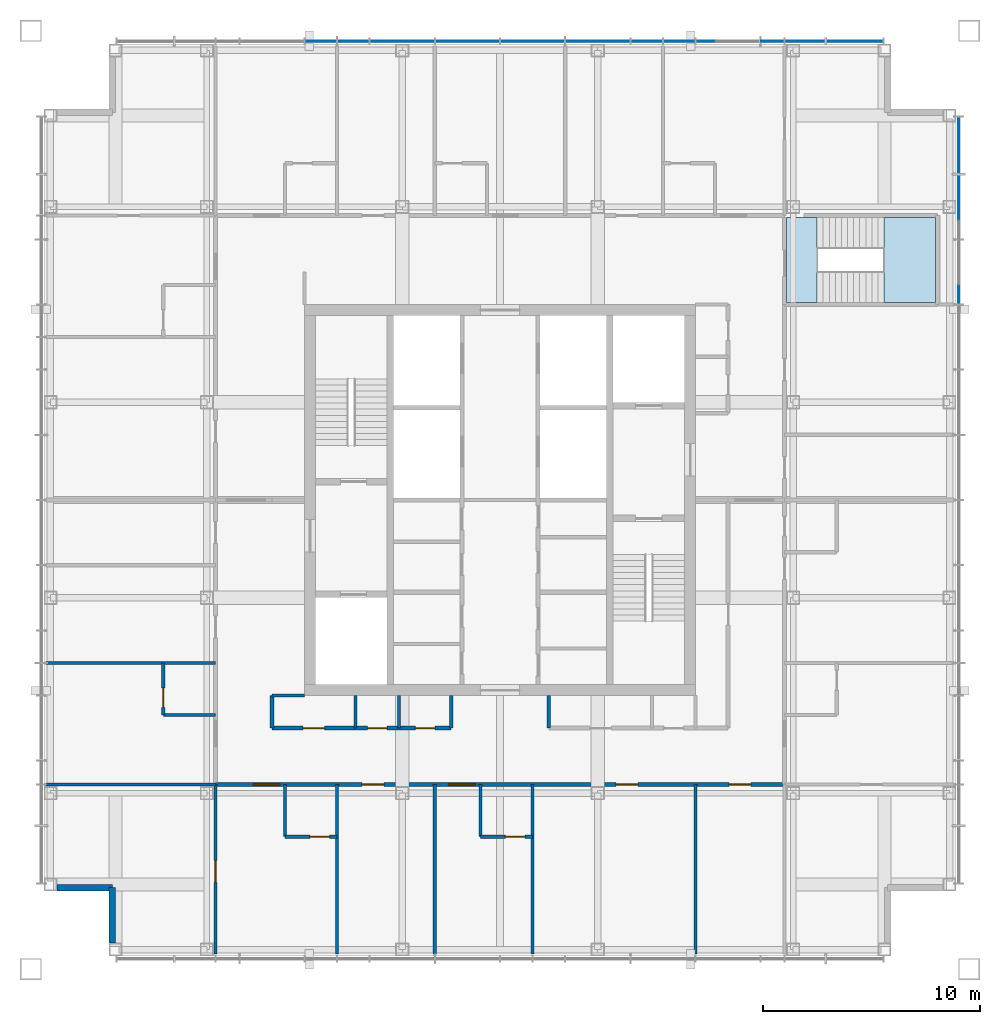
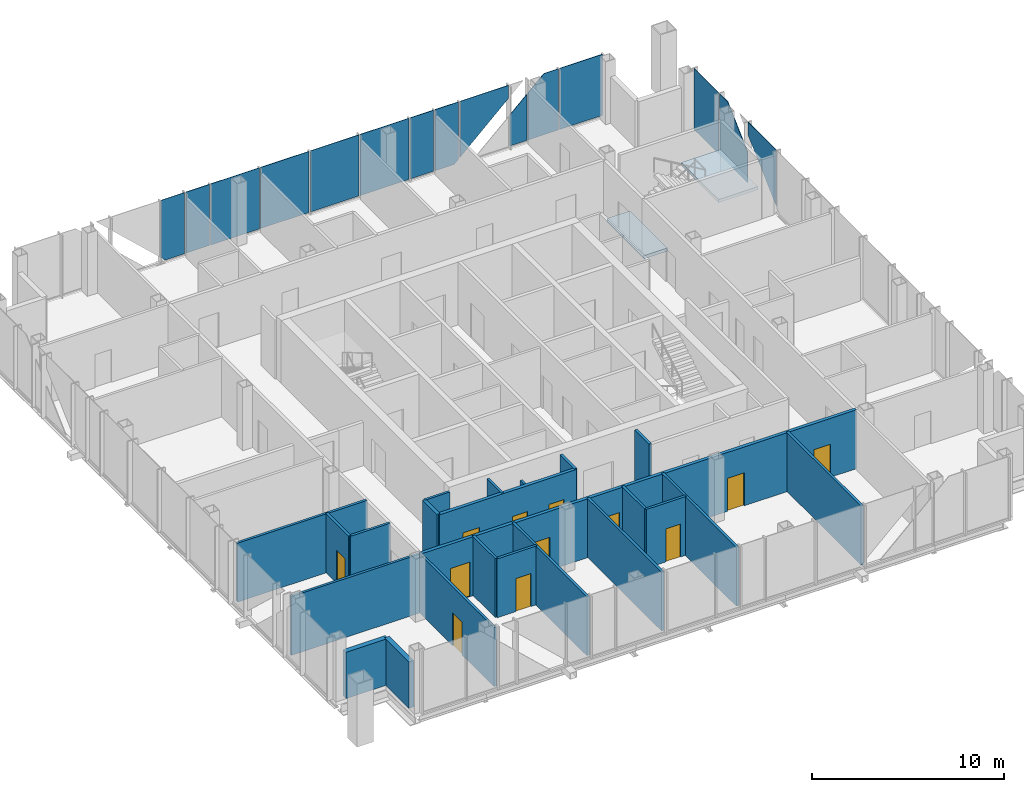
# One storey, part 7 of 11: 23 walls, 15 plates, 12 doors, 2 slabs, 12 openings, 3 elements without a shape of their own.
"""IFC4 building model written with IfcOpenShell, lengths in metres."""

from ifc_helpers import new_model, si_unit, direction, frame, frame_2d, origin, origin_2d, place, context, subcontext, project, spatial, polyline, rectangle, outline, extrude, material, layer, layer_set, type_object, element, fill, aggregate, save


model = new_model("IFC4")

# Units and contexts
model_context = context("Model", 3, precision=1e-05, world=origin(), true_north=direction((0.0, 1.0)))
body_context = subcontext(model_context, "Body", "Model", "MODEL_VIEW")
ifc_project = project(units=[si_unit("LENGTHUNIT", "METRE"), si_unit("AREAUNIT", "SQUARE_METRE"), si_unit("VOLUMEUNIT", "CUBIC_METRE"), si_unit("PLANEANGLEUNIT", "RADIAN"), si_unit("MASSUNIT", "GRAM", prefix="KILO")], contexts=[model_context])

# Site, building, storey
site_placement = place(None, origin())
site = spatial("IfcSite", under=ifc_project, at=site_placement, CompositionType="ELEMENT")
building_placement = place(site_placement, origin())
building = spatial("IfcBuilding", under=site, at=building_placement, Name="Malebo Sky Hospital", CompositionType="ELEMENT")
storey_placement = place(building_placement, frame((0.0, 0.0, 278.0)))
storey = spatial("IfcBuildingStorey", under=building, at=storey_placement, Name="L67", CompositionType="ELEMENT", Elevation=278.0)

# Stair, slabs
ifc_material_1 = material(Name="Concrete C40/50", Category="concrete")
stair_type = type_object("IfcStairType", Name="HALF-TURN STAIR 1400 R167", PredefinedType="HALF_TURN_STAIR", material=ifc_material_1)
stair_placement = place(storey_placement, origin())
stair = element("IfcStair", 1, at=stair_placement, inside=storey, type_object=stair_type, Name="Stair S3 L67 type ST1B", PredefinedType="HALF_TURN_STAIR")
ifc_layer_1 = layer(ifc_material_1, 0.199951171875)
ifc_layer_set_1 = layer_set([ifc_layer_1], Name="STAIR LANDING 200")
slab_type = type_object("IfcSlabType", Name="STAIR LANDING 200", PredefinedType="LANDING", material=ifc_layer_set_1)
slab_1_placement = place(storey_placement, frame((0.0, 0.0, -0.199951171875)))
slab_1 = element("IfcSlab", 2, at=slab_1_placement, type_object=slab_type, Name="S3 landing 1", PredefinedType="LANDING", context=body_context, shape_type="SweptSolid", body=[
    extrude(outline(polyline([(73.199951171875, 71.10009765625), (73.199951171875, 75.0), (74.60009765625, 75.0), (74.60009765625, 71.10009765625), (73.199951171875, 71.10009765625)])), origin(), (0.0, 0.0, 1.0), 0.199951171875),
])
slab_2_placement = place(storey_placement, frame((0.0, 0.0, 1.800048828125)))
slab_2 = element("IfcSlab", 3, at=slab_2_placement, type_object=slab_type, Name="S3 landing 2", PredefinedType="LANDING", context=body_context, shape_type="SweptSolid", body=[
    extrude(outline(polyline([(77.679931640625, 71.10009765625), (77.679931640625, 75.0), (80.050048828125, 75.0), (80.050048828125, 71.10009765625), (77.679931640625, 71.10009765625)])), origin(), (0.0, 0.0, 1.0), 0.199951171875),
])
aggregate(stair, [slab_1, slab_2])

# Curtain wall, plates
ifc_material_2 = material(Name="Anodised aluminium, natural silver", Category="aluminium")
ifc_layer_2 = layer(ifc_material_2, 0.25)
ifc_layer_set_2 = layer_set([ifc_layer_2], Name="WARD CURTAIN WALL NORTH AND SOUTH")
curtain_wall_type_1 = type_object("IfcCurtainWallType", Name="WARD CURTAIN WALL NORTH AND SOUTH", PredefinedType="NOTDEFINED", material=ifc_layer_set_2)
curtain_wall_1_placement = place(storey_placement, origin())
curtain_wall_1 = element("IfcCurtainWall", 4, at=curtain_wall_1_placement, inside=storey, type_object=curtain_wall_type_1, Name="NS curtain wall N", PredefinedType="NOTDEFINED")
ifc_material_3 = material(Name="Clear low-iron double glazing", Category="glass")
ifc_layer_3 = layer(ifc_material_3, 0.031982421875)
ifc_layer_set_3 = layer_set([ifc_layer_3], Name="VISION PANEL CLEAR 32")
plate_type = type_object("IfcPlateType", Name="VISION PANEL CLEAR 32", PredefinedType="CURTAIN_PANEL", material=ifc_layer_set_3)
plate_1_placement = place(storey_placement, frame((51.75, 83.125, 0.10009765625), z_axis=(0.0, 0.0, 1.0), x_axis=(1.0, 0.0, 0.0)))
plate_1 = element("IfcPlate", 5, at=plate_1_placement, type_object=plate_type, Name="Panel 5", PredefinedType="CURTAIN_PANEL", context=body_context, shape_type="SweptSolid", body=[
    extrude(outline(polyline([(-0.445556640625, 0.0), (0.71240234375, 0.0), (0.71240234375, 3.889892578125), (-0.71240234375, 3.889892578125), (-0.71240234375, 0.25), (-0.445556640625, 0.0)])), frame((0.0, 0.01611328125, 0.0), z_axis=(0.0, -1.0, 0.0), x_axis=(1.0, 0.0, 0.0)), (0.0, 0.0, 1.0), 0.031982421875),
])
plate_2_placement = place(storey_placement, frame((53.25, 83.125, 0.10009765625), z_axis=(0.0, 0.0, 1.0), x_axis=(1.0, 0.0, 0.0)))
plate_2 = element("IfcPlate", 6, at=plate_2_placement, type_object=plate_type, Name="Panel 6", PredefinedType="CURTAIN_PANEL", context=body_context, shape_type="SweptSolid", body=[
    extrude(rectangle(XDim=1.425048828125, YDim=0.031982421875, at=origin_2d()), origin(), (0.0, 0.0, 1.0), 3.889892578125),
])
plate_3_placement = place(storey_placement, frame((55.5, 83.125, 0.10009765625), z_axis=(0.0, 0.0, 1.0), x_axis=(1.0, 0.0, 0.0)))
plate_3 = element("IfcPlate", 7, at=plate_3_placement, type_object=plate_type, Name="Panel 7", PredefinedType="CURTAIN_PANEL", context=body_context, shape_type="SweptSolid", body=[
    extrude(rectangle(XDim=2.925048828125, YDim=0.031982421875, at=origin_2d()), origin(), (0.0, 0.0, 1.0), 3.889892578125),
])
plate_4_placement = place(storey_placement, frame((58.5, 83.125, 0.10009765625), z_axis=(0.0, 0.0, 1.0), x_axis=(1.0, 0.0, 0.0)))
plate_4 = element("IfcPlate", 8, at=plate_4_placement, type_object=plate_type, Name="Panel 8", PredefinedType="CURTAIN_PANEL", context=body_context, shape_type="SweptSolid", body=[
    extrude(rectangle(XDim=2.925048828125, YDim=0.031982421875, at=origin_2d()), origin(), (0.0, 0.0, 1.0), 3.889892578125),
])
plate_5_placement = place(storey_placement, frame((61.5, 83.125, 0.10009765625), z_axis=(0.0, 0.0, 1.0), x_axis=(1.0, 0.0, 0.0)))
plate_5 = element("IfcPlate", 9, at=plate_5_placement, type_object=plate_type, Name="Panel 9", PredefinedType="CURTAIN_PANEL", context=body_context, shape_type="SweptSolid", body=[
    extrude(rectangle(XDim=2.925048828125, YDim=0.031982421875, at=origin_2d()), origin(), (0.0, 0.0, 1.0), 3.889892578125),
])
plate_6_placement = place(storey_placement, frame((64.5, 83.125, 0.10009765625), z_axis=(0.0, 0.0, 1.0), x_axis=(1.0, 0.0, 0.0)))
plate_6 = element("IfcPlate", 10, at=plate_6_placement, type_object=plate_type, Name="Panel 10", PredefinedType="CURTAIN_PANEL", context=body_context, shape_type="SweptSolid", body=[
    extrude(rectangle(XDim=2.925048828125, YDim=0.031982421875, at=origin_2d()), origin(), (0.0, 0.0, 1.0), 3.889892578125),
])
plate_7_placement = place(storey_placement, frame((66.75, 83.125, 0.10009765625), z_axis=(0.0, 0.0, 1.0), x_axis=(1.0, 0.0, 0.0)))
plate_7 = element("IfcPlate", 11, at=plate_7_placement, type_object=plate_type, Name="Panel 11", PredefinedType="CURTAIN_PANEL", context=body_context, shape_type="SweptSolid", body=[
    extrude(rectangle(XDim=1.425048828125, YDim=0.031982421875, at=origin_2d()), origin(), (0.0, 0.0, 1.0), 3.889892578125),
])
plate_8_placement = place(storey_placement, frame((68.25, 83.125, 0.10009765625), z_axis=(0.0, 0.0, 1.0), x_axis=(1.0, 0.0, 0.0)))
plate_8 = element("IfcPlate", 12, at=plate_8_placement, type_object=plate_type, Name="Panel 12", PredefinedType="CURTAIN_PANEL", context=body_context, shape_type="SweptSolid", body=[
    extrude(outline(polyline([(-0.71240234375, 0.0), (0.445556640625, 0.0), (0.71240234375, 0.25), (0.71240234375, 3.889892578125), (-0.71240234375, 3.889892578125), (-0.71240234375, 0.0)])), frame((0.0, 0.01611328125, 0.0), z_axis=(0.0, -1.0, 0.0), x_axis=(1.0, 0.0, 0.0)), (0.0, 0.0, 1.0), 0.031982421875),
])
plate_9_placement = place(storey_placement, frame((70.5, 83.125, 0.420166015625), z_axis=(0.0, 0.0, 1.0), x_axis=(1.0, 0.0, 0.0)))
plate_9 = element("IfcPlate", 13, at=plate_9_placement, type_object=plate_type, Name="Panel 13", PredefinedType="CURTAIN_PANEL", context=body_context, shape_type="SweptSolid", body=[
    extrude(outline(polyline([(-1.46240234375, 0.0), (1.46240234375, 2.73876953125), (1.46240234375, 3.56982421875), (-1.46240234375, 3.56982421875), (-1.46240234375, 0.0)])), frame((0.0, 0.01611328125, 0.0), z_axis=(0.0, -1.0, 0.0), x_axis=(1.0, 0.0, 0.0)), (0.0, 0.0, 1.0), 0.031982421875),
])
plate_10_placement = place(storey_placement, frame((72.550048828125, 83.125, 0.10009765625), z_axis=(0.0, 0.0, 1.0), x_axis=(1.0, 0.0, 0.0)))
plate_10 = element("IfcPlate", 14, at=plate_10_placement, type_object=plate_type, Name="Panel 14", PredefinedType="CURTAIN_PANEL", context=body_context, shape_type="SweptSolid", body=[
    extrude(outline(polyline([(-0.512451171875, 0.0), (0.512451171875, 0.0), (0.512451171875, 2.923095703125), (-0.512451171875, 1.96337890625), (-0.512451171875, 0.0)])), frame((0.0, 0.01611328125, 0.0), z_axis=(0.0, -1.0, 0.0), x_axis=(1.0, 0.0, 0.0)), (0.0, 0.0, 1.0), 0.031982421875),
])
plate_11_placement = place(storey_placement, frame((74.050048828125, 83.125, 0.10009765625), z_axis=(0.0, 0.0, 1.0), x_axis=(1.0, 0.0, 0.0)))
plate_11 = element("IfcPlate", 15, at=plate_11_placement, type_object=plate_type, Name="Panel 15", PredefinedType="CURTAIN_PANEL", context=body_context, shape_type="SweptSolid", body=[
    extrude(outline(polyline([(-0.91259765625, 0.0), (0.91259765625, 0.0), (0.91259765625, 3.889892578125), (0.045166015625, 3.889892578125), (-0.91259765625, 2.993408203125), (-0.91259765625, 0.0)])), frame((0.0, 0.01611328125, 0.0), z_axis=(0.0, -1.0, 0.0), x_axis=(1.0, 0.0, 0.0)), (0.0, 0.0, 1.0), 0.031982421875),
])
plate_12_placement = place(storey_placement, frame((76.331298828125, 83.125, 0.10009765625), z_axis=(0.0, 0.0, 1.0), x_axis=(1.0, 0.0, 0.0)))
plate_12 = element("IfcPlate", 16, at=plate_12_placement, type_object=plate_type, Name="Panel 16", PredefinedType="CURTAIN_PANEL", context=body_context, shape_type="SweptSolid", body=[
    extrude(rectangle(XDim=2.58740234375, YDim=0.031982421875, at=origin_2d()), origin(), (0.0, 0.0, 1.0), 3.889892578125),
])
aggregate(curtain_wall_1, [plate_1, plate_2, plate_3, plate_4, plate_5, plate_6, plate_7, plate_8, plate_9, plate_10, plate_11, plate_12])

ifc_layer_4 = layer(ifc_material_2, 0.25)
ifc_layer_set_4 = layer_set([ifc_layer_4], Name="WARD CURTAIN WALL EAST AND WEST")
curtain_wall_type_2 = type_object("IfcCurtainWallType", Name="WARD CURTAIN WALL EAST AND WEST", PredefinedType="NOTDEFINED", material=ifc_layer_set_4)
curtain_wall_2_placement = place(storey_placement, origin())
curtain_wall_2 = element("IfcCurtainWall", 17, at=curtain_wall_2_placement, inside=storey, type_object=curtain_wall_type_2, Name="EW curtain wall E", PredefinedType="NOTDEFINED")
plate_13_placement = place(storey_placement, frame((81.125, 78.331298828125, 0.10009765625), z_axis=(0.0, 0.0, 1.0), x_axis=(0.0, -1.0, 0.0)))
plate_13 = element("IfcPlate", 18, at=plate_13_placement, type_object=plate_type, Name="Panel 1", PredefinedType="CURTAIN_PANEL", context=body_context, shape_type="SweptSolid", body=[
    extrude(rectangle(XDim=2.58740234375, YDim=0.031982421875, at=origin_2d()), origin(), (0.0, 0.0, 1.0), 3.889892578125),
])
plate_14_placement = place(storey_placement, frame((81.125, 75.5, 0.10009765625), z_axis=(0.0, 0.0, 1.0), x_axis=(0.0, -1.0, 0.0)))
plate_14 = element("IfcPlate", 19, at=plate_14_placement, type_object=plate_type, Name="Panel 2", PredefinedType="CURTAIN_PANEL", context=body_context, shape_type="SweptSolid", body=[
    extrude(outline(polyline([(-1.46240234375, 0.0), (1.46240234375, 0.0), (1.46240234375, 1.96337890625), (-0.59521484375, 3.889892578125), (-1.46240234375, 3.889892578125), (-1.46240234375, 0.0)])), frame((0.0, 0.01611328125, 0.0), z_axis=(0.0, -1.0, 0.0), x_axis=(1.0, 0.0, 0.0)), (0.0, 0.0, 1.0), 0.031982421875),
])
plate_15_placement = place(storey_placement, frame((81.125, 72.5, 0.420166015625), z_axis=(0.0, 0.0, 1.0), x_axis=(0.0, -1.0, 0.0)))
plate_15 = element("IfcPlate", 20, at=plate_15_placement, type_object=plate_type, Name="Panel 3", PredefinedType="CURTAIN_PANEL", context=body_context, shape_type="SweptSolid", body=[
    extrude(outline(polyline([(1.46240234375, 0.0), (1.46240234375, 3.56982421875), (-1.46240234375, 3.56982421875), (-1.46240234375, 2.73876953125), (1.46240234375, 0.0)])), frame((0.0, 0.01611328125, 0.0), z_axis=(0.0, -1.0, 0.0), x_axis=(1.0, 0.0, 0.0)), (0.0, 0.0, 1.0), 0.031982421875),
])
aggregate(curtain_wall_2, [plate_13, plate_14, plate_15])

# Wall
ifc_material_4 = material(Name="Gypsum board on steel studs", Category="steel")
ifc_layer_5 = layer(ifc_material_4, 0.199951171875)
ifc_layer_set_5 = layer_set([ifc_layer_5], Name="CORRIDOR WALL 200")
wall_type_1 = type_object("IfcWallType", Name="CORRIDOR WALL 200", PredefinedType="PARTITIONING", material=ifc_layer_set_5)
wall_1_placement = place(storey_placement, frame((49.5, 51.5, 0.0), z_axis=(0.0, 0.0, 1.0), x_axis=(0.0, 1.0, 0.0)))
element("IfcWall", 21, at=wall_1_placement, inside=storey, type_object=wall_type_1, Name="Corridor Wall 200 WCIK", PredefinedType="PARTITIONING", context=body_context, shape_type="SweptSolid", body=[
    extrude(rectangle(XDim=1.5, YDim=0.199951171875, at=frame_2d((0.75, 0.0))), origin(), (0.0, 0.0, 1.0), 3.75),
])

# Wall, openings, doors
wall_2_placement = place(storey_placement, frame((73.10009765625, 48.89990234375, 0.0), z_axis=(0.0, 0.0, 1.0), x_axis=(-1.0, 0.0, 0.0)))
wall_2 = element("IfcWall", 22, at=wall_2_placement, inside=storey, type_object=wall_type_1, Name="Corridor Wall 200 SCO", PredefinedType="PARTITIONING", context=body_context, shape_type="SweptSolid", body=[
    extrude(rectangle(XDim=26.2001953125, YDim=0.199951171875, at=frame_2d((13.10009765625, 0.0))), origin(), (0.0, 0.0, 1.0), 3.75),
])
opening_1_placement = place(wall_2_placement, frame((1.550048828125, 0.0, 0.0)))
opening_1 = element("IfcOpeningElement", 23, at=opening_1_placement, cuts=wall_2, Name="Opening D03", PredefinedType="OPENING", context=body_context, shape_type="SweptSolid", body=[
    extrude(rectangle(XDim=1.0, YDim=2.10009765625, at=frame_2d((0.5, 1.050048828125))), frame((0.0, 0.10986328125, 0.0), z_axis=(0.0, -1.0, 0.0), x_axis=(1.0, 0.0, 0.0)), (0.0, 0.0, 1.0), 0.219970703125),
])
opening_2_placement = place(wall_2_placement, frame((6.75, 0.0, 0.0)))
opening_2 = element("IfcOpeningElement", 24, at=opening_2_placement, cuts=wall_2, Name="Opening D03", PredefinedType="OPENING", context=body_context, shape_type="SweptSolid", body=[
    extrude(rectangle(XDim=1.0, YDim=2.10009765625, at=frame_2d((0.5, 1.050048828125))), frame((0.0, 0.10986328125, 0.0), z_axis=(0.0, -1.0, 0.0), x_axis=(1.0, 0.0, 0.0)), (0.0, 0.0, 1.0), 0.219970703125),
])
opening_3_placement = place(wall_2_placement, frame((14.25, 0.0, 0.0)))
opening_3 = element("IfcOpeningElement", 25, at=opening_3_placement, cuts=wall_2, Name="Opening D01", PredefinedType="OPENING", context=body_context, shape_type="SweptSolid", body=[
    extrude(rectangle(XDim=1.199951171875, YDim=2.199951171875, at=frame_2d((0.60009765625, 1.10009765625))), frame((0.0, 0.10986328125, 0.0), z_axis=(0.0, -1.0, 0.0), x_axis=(1.0, 0.0, 0.0)), (0.0, 0.0, 1.0), 0.219970703125),
])
opening_4_placement = place(wall_2_placement, frame((18.449951171875, 0.0, 0.0)))
opening_4 = element("IfcOpeningElement", 26, at=opening_4_placement, cuts=wall_2, Name="Opening D03", PredefinedType="OPENING", context=body_context, shape_type="SweptSolid", body=[
    extrude(rectangle(XDim=1.0, YDim=2.10009765625, at=frame_2d((0.5, 1.050048828125))), frame((0.0, 0.10986328125, 0.0), z_axis=(0.0, -1.0, 0.0), x_axis=(1.0, 0.0, 0.0)), (0.0, 0.0, 1.0), 0.219970703125),
])
opening_5_placement = place(wall_2_placement, frame((23.25, 0.0, 0.0)))
opening_5 = element("IfcOpeningElement", 27, at=opening_5_placement, cuts=wall_2, Name="Opening D01", PredefinedType="OPENING", context=body_context, shape_type="SweptSolid", body=[
    extrude(rectangle(XDim=1.199951171875, YDim=2.199951171875, at=frame_2d((0.60009765625, 1.10009765625))), frame((0.0, 0.10986328125, 0.0), z_axis=(0.0, -1.0, 0.0), x_axis=(1.0, 0.0, 0.0)), (0.0, 0.0, 1.0), 0.219970703125),
])
ifc_material_5 = material(Name="Hardwood-faced door leaf in steel frame", Category="steel")
door_type_1 = type_object("IfcDoorType", Name="BED DOOR 1200", OperationType="SINGLE_SWING_LEFT", PredefinedType="DOOR", material=ifc_material_5)
door_1_placement = place(opening_3_placement, origin())
door_1 = element("IfcDoor", 28, at=door_1_placement, inside=storey, type_object=door_type_1, Name="Private patient suite door", OperationType="SINGLE_SWING_LEFT", OverallHeight=2.199951171875, OverallWidth=1.199951171875, PredefinedType="DOOR", context=body_context, shape_type="SweptSolid", body=[
    extrude(rectangle(XDim=1.199951171875, YDim=2.199951171875, at=frame_2d((0.60009765625, 1.10009765625))), frame((0.0, 0.02490234375, 0.0), z_axis=(0.0, -1.0, 0.0), x_axis=(1.0, 0.0, 0.0)), (0.0, 0.0, 1.0), 0.050048828125),
])
fill(opening_3, door_1)
door_2_placement = place(opening_5_placement, origin())
door_2 = element("IfcDoor", 29, at=door_2_placement, inside=storey, type_object=door_type_1, Name="Private patient suite door", OperationType="SINGLE_SWING_LEFT", OverallHeight=2.199951171875, OverallWidth=1.199951171875, PredefinedType="DOOR", context=body_context, shape_type="SweptSolid", body=[
    extrude(rectangle(XDim=1.199951171875, YDim=2.199951171875, at=frame_2d((0.60009765625, 1.10009765625))), frame((0.0, 0.02490234375, 0.0), z_axis=(0.0, -1.0, 0.0), x_axis=(1.0, 0.0, 0.0)), (0.0, 0.0, 1.0), 0.050048828125),
])
fill(opening_5, door_2)
door_type_2 = type_object("IfcDoorType", Name="ROOM DOOR 1000", OperationType="SINGLE_SWING_LEFT", PredefinedType="DOOR", material=ifc_material_5)
door_3_placement = place(opening_1_placement, origin())
door_3 = element("IfcDoor", 30, at=door_3_placement, inside=storey, type_object=door_type_2, Name="Ward office door", OperationType="SINGLE_SWING_LEFT", OverallHeight=2.10009765625, OverallWidth=1.0, PredefinedType="DOOR", context=body_context, shape_type="SweptSolid", body=[
    extrude(rectangle(XDim=1.0, YDim=2.10009765625, at=frame_2d((0.5, 1.050048828125))), frame((0.0, 0.02490234375, 0.0), z_axis=(0.0, -1.0, 0.0), x_axis=(1.0, 0.0, 0.0)), (0.0, 0.0, 1.0), 0.050048828125),
])
fill(opening_1, door_3)
door_4_placement = place(opening_2_placement, origin())
door_4 = element("IfcDoor", 31, at=door_4_placement, inside=storey, type_object=door_type_2, Name="Patient lounge door", OperationType="SINGLE_SWING_LEFT", OverallHeight=2.10009765625, OverallWidth=1.0, PredefinedType="DOOR", context=body_context, shape_type="SweptSolid", body=[
    extrude(rectangle(XDim=1.0, YDim=2.10009765625, at=frame_2d((0.5, 1.050048828125))), frame((0.0, 0.02490234375, 0.0), z_axis=(0.0, -1.0, 0.0), x_axis=(1.0, 0.0, 0.0)), (0.0, 0.0, 1.0), 0.050048828125),
])
fill(opening_2, door_4)
door_5_placement = place(opening_4_placement, origin())
door_5 = element("IfcDoor", 32, at=door_5_placement, inside=storey, type_object=door_type_2, Name="Dirty utility room door", OperationType="SINGLE_SWING_RIGHT", OverallHeight=2.10009765625, OverallWidth=1.0, PredefinedType="DOOR", context=body_context, shape_type="SweptSolid", body=[
    extrude(rectangle(XDim=1.0, YDim=2.10009765625, at=frame_2d((0.5, 1.050048828125))), frame((0.0, 0.02490234375, 0.0), z_axis=(0.0, -1.0, 0.0), x_axis=(1.0, 0.0, 0.0)), (0.0, 0.0, 1.0), 0.050048828125),
])
fill(opening_4, door_5)

wall_3_placement = place(storey_placement, frame((57.75, 51.5, 0.0), z_axis=(0.0, 0.0, 1.0), x_axis=(-1.0, 0.0, 0.0)))
wall_3 = element("IfcWall", 33, at=wall_3_placement, inside=storey, type_object=wall_type_1, Name="Corridor Wall 200 SCI2", PredefinedType="PARTITIONING", context=body_context, shape_type="SweptSolid", body=[
    extrude(rectangle(XDim=8.25, YDim=0.199951171875, at=frame_2d((4.125, 0.0))), origin(), (0.0, 0.0, 1.0), 3.75),
])
opening_6_placement = place(wall_3_placement, frame((0.75, 0.0, 0.0)))
opening_6 = element("IfcOpeningElement", 34, at=opening_6_placement, cuts=wall_3, Name="Opening D04", PredefinedType="OPENING", context=body_context, shape_type="SweptSolid", body=[
    extrude(rectangle(XDim=0.89990234375, YDim=2.10009765625, at=frame_2d((0.449951171875, 1.050048828125))), frame((0.0, 0.10986328125, 0.0), z_axis=(0.0, -1.0, 0.0), x_axis=(1.0, 0.0, 0.0)), (0.0, 0.0, 1.0), 0.219970703125),
])
opening_7_placement = place(wall_3_placement, frame((2.949951171875, 0.0, 0.0)))
opening_7 = element("IfcOpeningElement", 35, at=opening_7_placement, cuts=wall_3, Name="Opening D04", PredefinedType="OPENING", context=body_context, shape_type="SweptSolid", body=[
    extrude(rectangle(XDim=0.89990234375, YDim=2.10009765625, at=frame_2d((0.449951171875, 1.050048828125))), frame((0.0, 0.10986328125, 0.0), z_axis=(0.0, -1.0, 0.0), x_axis=(1.0, 0.0, 0.0)), (0.0, 0.0, 1.0), 0.219970703125),
])
opening_8_placement = place(wall_3_placement, frame((5.824951171875, 0.0, 0.0)))
opening_8 = element("IfcOpeningElement", 36, at=opening_8_placement, cuts=wall_3, Name="Opening D03", PredefinedType="OPENING", context=body_context, shape_type="SweptSolid", body=[
    extrude(rectangle(XDim=1.0, YDim=2.10009765625, at=frame_2d((0.5, 1.050048828125))), frame((0.0, 0.10986328125, 0.0), z_axis=(0.0, -1.0, 0.0), x_axis=(1.0, 0.0, 0.0)), (0.0, 0.0, 1.0), 0.219970703125),
])
door_6_placement = place(opening_8_placement, origin())
door_6 = element("IfcDoor", 37, at=door_6_placement, inside=storey, type_object=door_type_2, Name="Equipment store door", OperationType="SINGLE_SWING_RIGHT", OverallHeight=2.10009765625, OverallWidth=1.0, PredefinedType="DOOR", context=body_context, shape_type="SweptSolid", body=[
    extrude(rectangle(XDim=1.0, YDim=2.10009765625, at=frame_2d((0.5, 1.050048828125))), frame((0.0, 0.02490234375, 0.0), z_axis=(0.0, -1.0, 0.0), x_axis=(1.0, 0.0, 0.0)), (0.0, 0.0, 1.0), 0.050048828125),
])
fill(opening_8, door_6)
door_type_3 = type_object("IfcDoorType", Name="ROOM DOOR 900", OperationType="SINGLE_SWING_LEFT", PredefinedType="DOOR", material=ifc_material_5)
door_7_placement = place(opening_6_placement, origin())
door_7 = element("IfcDoor", 38, at=door_7_placement, inside=storey, type_object=door_type_3, Name="Cleaner's room door", OperationType="SINGLE_SWING_LEFT", OverallHeight=2.10009765625, OverallWidth=0.89990234375, PredefinedType="DOOR", context=body_context, shape_type="SweptSolid", body=[
    extrude(rectangle(XDim=0.89990234375, YDim=2.10009765625, at=frame_2d((0.449951171875, 1.050048828125))), frame((0.0, 0.02490234375, 0.0), z_axis=(0.0, -1.0, 0.0), x_axis=(1.0, 0.0, 0.0)), (0.0, 0.0, 1.0), 0.050048828125),
])
fill(opening_6, door_7)
door_8_placement = place(opening_7_placement, origin())
door_8 = element("IfcDoor", 39, at=door_8_placement, inside=storey, type_object=door_type_3, Name="Visitor WC door", OperationType="SINGLE_SWING_LEFT", OverallHeight=2.10009765625, OverallWidth=0.89990234375, PredefinedType="DOOR", context=body_context, shape_type="SweptSolid", body=[
    extrude(rectangle(XDim=0.89990234375, YDim=2.10009765625, at=frame_2d((0.449951171875, 1.050048828125))), frame((0.0, 0.02490234375, 0.0), z_axis=(0.0, -1.0, 0.0), x_axis=(1.0, 0.0, 0.0)), (0.0, 0.0, 1.0), 0.050048828125),
])
fill(opening_7, door_8)

# Walls
ifc_material_6 = material(Name="Anodised aluminium rainscreen on steel framing", Category="steel")
ifc_layer_6 = layer(ifc_material_6, 0.300048828125)
ifc_layer_set_6 = layer_set([ifc_layer_6], Name="NOTCH RAINSCREEN WALL 300")
wall_type_2 = type_object("IfcWallType", Name="NOTCH RAINSCREEN WALL 300", PredefinedType="ELEMENTEDWALL", material=ifc_layer_set_6)
for number, where, z_axis, x_axis, name in (
    (40, (42.14990234375, 41.60009765625, 0.0), (0.0, 0.0, 1.0), (0.0, 1.0, 0.0), "Notch rainscreen wall S1 L67"),
    (41, (42.14990234375, 44.14990234375, 0.0), (0.0, 0.0, 1.0), (-1.0, 0.0, 0.0), "Notch rainscreen wall S2 L67"),
):
    element("IfcWall", number, at=place(storey_placement, frame(where, z_axis=z_axis, x_axis=x_axis)), inside=storey, type_object=wall_type_2, Name=name, PredefinedType="ELEMENTEDWALL", context=body_context, shape_type="SweptSolid", body=[
        extrude(rectangle(XDim=2.5498046875, YDim=0.300048828125, at=frame_2d((1.27490234375, 0.0))), origin(), (0.0, 0.0, 1.0), 2.949951171875),
    ])
ifc_layer_7 = layer(ifc_material_4, 0.14990234375)
ifc_layer_set_7 = layer_set([ifc_layer_7], Name="PARTITION 150")
wall_type_3 = type_object("IfcWallType", Name="PARTITION 150", PredefinedType="PARTITIONING", material=ifc_layer_set_7)
for number, where, z_axis, x_axis, name in (
    (42, (46.89990234375, 54.5, 0.0), (0.0, 0.0, 1.0), (-1.0, 0.0, 0.0), "Partition 150 WP-7.5"),
    (43, (46.89990234375, 48.89990234375, 0.0), (0.0, 0.0, 1.0), (-1.0, 0.0, 0.0), "Partition 150 WP0"),
):
    element("IfcWall", number, at=place(storey_placement, frame(where, z_axis=z_axis, x_axis=x_axis)), inside=storey, type_object=wall_type_3, Name=name, PredefinedType="PARTITIONING", context=body_context, shape_type="SweptSolid", body=[
        extrude(rectangle(XDim=7.7998046875, YDim=0.14990234375, at=frame_2d((3.89990234375, 0.0))), origin(), (0.0, 0.0, 1.0), 3.75),
    ])

# Wall, opening, door
wall_4_placement = place(storey_placement, frame((44.5, 52.10009765625, 0.0), z_axis=(0.0, 0.0, 1.0), x_axis=(0.0, 1.0, 0.0)))
wall_4 = element("IfcWall", 44, at=wall_4_placement, inside=storey, type_object=wall_type_3, Name="Partition 150 WE0F", PredefinedType="PARTITIONING", context=body_context, shape_type="SweptSolid", body=[
    extrude(rectangle(XDim=2.39990234375, YDim=0.14990234375, at=frame_2d((1.199951171875, 0.0))), origin(), (0.0, 0.0, 1.0), 3.75),
])
opening_9_placement = place(wall_4_placement, frame((0.35009765625, 0.0, 0.0)))
opening_9 = element("IfcOpeningElement", 45, at=opening_9_placement, cuts=wall_4, Name="Opening D02", PredefinedType="OPENING", context=body_context, shape_type="SweptSolid", body=[
    extrude(rectangle(XDim=0.89990234375, YDim=2.10009765625, at=frame_2d((0.449951171875, 1.050048828125))), frame((0.0, 0.0849609375, 0.0), z_axis=(0.0, -1.0, 0.0), x_axis=(1.0, 0.0, 0.0)), (0.0, 0.0, 1.0), 0.169921875),
])
door_type_4 = type_object("IfcDoorType", Name="EN-SUITE DOOR 900", OperationType="SINGLE_SWING_LEFT", PredefinedType="DOOR", material=ifc_material_5)
door_9_placement = place(opening_9_placement, origin())
door_9 = element("IfcDoor", 46, at=door_9_placement, inside=storey, type_object=door_type_4, Name="En-suite door", OperationType="SINGLE_SWING_LEFT", OverallHeight=2.10009765625, OverallWidth=0.89990234375, PredefinedType="DOOR", context=body_context, shape_type="SweptSolid", body=[
    extrude(rectangle(XDim=0.89990234375, YDim=2.10009765625, at=frame_2d((0.449951171875, 1.050048828125))), frame((0.0, 0.02490234375, 0.0), z_axis=(0.0, -1.0, 0.0), x_axis=(1.0, 0.0, 0.0)), (0.0, 0.0, 1.0), 0.050048828125),
])
fill(opening_9, door_9)

# Walls
wall_5_placement = place(storey_placement, frame((46.89990234375, 52.10009765625, 0.0), z_axis=(0.0, 0.0, 1.0), x_axis=(-1.0, 0.0, 0.0)))
element("IfcWall", 47, at=wall_5_placement, inside=storey, type_object=wall_type_3, Name="Partition 150 WE0S", PredefinedType="PARTITIONING", context=body_context, shape_type="SweptSolid", body=[
    extrude(rectangle(XDim=2.39990234375, YDim=0.14990234375, at=frame_2d((1.199951171875, 0.0))), origin(), (0.0, 0.0, 1.0), 3.75),
])
wall_6_placement = place(storey_placement, frame((51.0, 53.0, 0.0), z_axis=(0.0, 0.0, 1.0), x_axis=(-1.0, 0.0, 0.0)))
element("IfcWall", 48, at=wall_6_placement, inside=storey, type_object=wall_type_3, Name="Partition 150 WSP0", PredefinedType="PARTITIONING", context=body_context, shape_type="SweptSolid", body=[
    extrude(rectangle(XDim=1.5, YDim=0.14990234375, at=frame_2d((0.75, 0.0))), origin(), (0.0, 0.0, 1.0), 3.75),
])
for number, where, z_axis, x_axis, name in (
    (49, (69.0, 48.89990234375, 0.0), (0.0, 0.0, 1.0), (0.0, -1.0, 0.0), "Partition 150 SP-9.0"),
    (50, (61.5, 48.89990234375, 0.0), (0.0, 0.0, 1.0), (0.0, -1.0, 0.0), "Partition 150 SP-1.5"),
    (51, (57.0, 48.89990234375, 0.0), (0.0, 0.0, 1.0), (0.0, -1.0, 0.0), "Partition 150 SP+3.0"),
    (52, (52.5, 48.89990234375, 0.0), (0.0, 0.0, 1.0), (0.0, -1.0, 0.0), "Partition 150 SP+7.5"),
):
    element("IfcWall", number, at=place(storey_placement, frame(where, z_axis=z_axis, x_axis=x_axis)), inside=storey, type_object=wall_type_3, Name=name, PredefinedType="PARTITIONING", context=body_context, shape_type="SweptSolid", body=[
        extrude(rectangle(XDim=7.7998046875, YDim=0.14990234375, at=frame_2d((3.89990234375, 0.0))), origin(), (0.0, 0.0, 1.0), 3.75),
    ])

# Wall, opening, door
wall_7_placement = place(storey_placement, frame((61.5, 46.5, 0.0), z_axis=(0.0, 0.0, 1.0), x_axis=(-1.0, 0.0, 0.0)))
wall_7 = element("IfcWall", 53, at=wall_7_placement, inside=storey, type_object=wall_type_3, Name="Partition 150 SE2F", PredefinedType="PARTITIONING", context=body_context, shape_type="SweptSolid", body=[
    extrude(rectangle(XDim=2.39990234375, YDim=0.14990234375, at=frame_2d((1.199951171875, 0.0))), origin(), (0.0, 0.0, 1.0), 3.75),
])
opening_10_placement = place(wall_7_placement, frame((0.35009765625, 0.0, 0.0)))
opening_10 = element("IfcOpeningElement", 54, at=opening_10_placement, cuts=wall_7, Name="Opening D02", PredefinedType="OPENING", context=body_context, shape_type="SweptSolid", body=[
    extrude(rectangle(XDim=0.89990234375, YDim=2.10009765625, at=frame_2d((0.449951171875, 1.050048828125))), frame((0.0, 0.0849609375, 0.0), z_axis=(0.0, -1.0, 0.0), x_axis=(1.0, 0.0, 0.0)), (0.0, 0.0, 1.0), 0.169921875),
])
door_10_placement = place(opening_10_placement, origin())
door_10 = element("IfcDoor", 55, at=door_10_placement, inside=storey, type_object=door_type_4, Name="En-suite door", OperationType="SINGLE_SWING_LEFT", OverallHeight=2.10009765625, OverallWidth=0.89990234375, PredefinedType="DOOR", context=body_context, shape_type="SweptSolid", body=[
    extrude(rectangle(XDim=0.89990234375, YDim=2.10009765625, at=frame_2d((0.449951171875, 1.050048828125))), frame((0.0, 0.02490234375, 0.0), z_axis=(0.0, -1.0, 0.0), x_axis=(1.0, 0.0, 0.0)), (0.0, 0.0, 1.0), 0.050048828125),
])
fill(opening_10, door_10)

# Wall
wall_8_placement = place(storey_placement, frame((59.10009765625, 48.89990234375, 0.0), z_axis=(0.0, 0.0, 1.0), x_axis=(0.0, -1.0, 0.0)))
element("IfcWall", 56, at=wall_8_placement, inside=storey, type_object=wall_type_3, Name="Partition 150 SE2S", PredefinedType="PARTITIONING", context=body_context, shape_type="SweptSolid", body=[
    extrude(rectangle(XDim=2.39990234375, YDim=0.14990234375, at=frame_2d((1.199951171875, 0.0))), origin(), (0.0, 0.0, 1.0), 3.75),
])

# Wall, opening, door
wall_9_placement = place(storey_placement, frame((46.89990234375, 48.89990234375, 0.0), z_axis=(0.0, 0.0, 1.0), x_axis=(0.0, -1.0, 0.0)))
wall_9 = element("IfcWall", 57, at=wall_9_placement, inside=storey, type_object=wall_type_3, Name="Partition 150 SK", PredefinedType="PARTITIONING", context=body_context, shape_type="SweptSolid", body=[
    extrude(rectangle(XDim=7.7998046875, YDim=0.14990234375, at=frame_2d((3.89990234375, 0.0))), origin(), (0.0, 0.0, 1.0), 3.75),
])
opening_11_placement = place(wall_9_placement, frame((3.5, 0.0, 0.0)))
opening_11 = element("IfcOpeningElement", 58, at=opening_11_placement, cuts=wall_9, Name="Opening D03", PredefinedType="OPENING", context=body_context, shape_type="SweptSolid", body=[
    extrude(rectangle(XDim=1.0, YDim=2.10009765625, at=frame_2d((0.5, 1.050048828125))), frame((0.0, 0.0849609375, 0.0), z_axis=(0.0, -1.0, 0.0), x_axis=(1.0, 0.0, 0.0)), (0.0, 0.0, 1.0), 0.169921875),
])
door_11_placement = place(opening_11_placement, origin())
door_11 = element("IfcDoor", 59, at=door_11_placement, inside=storey, type_object=door_type_2, Name="Suite sitting room door", OperationType="SINGLE_SWING_RIGHT", OverallHeight=2.10009765625, OverallWidth=1.0, PredefinedType="DOOR", context=body_context, shape_type="SweptSolid", body=[
    extrude(rectangle(XDim=1.0, YDim=2.10009765625, at=frame_2d((0.5, 1.050048828125))), frame((0.0, 0.02490234375, 0.0), z_axis=(0.0, -1.0, 0.0), x_axis=(1.0, 0.0, 0.0)), (0.0, 0.0, 1.0), 0.050048828125),
])
fill(opening_11, door_11)

wall_10_placement = place(storey_placement, frame((52.5, 46.5, 0.0), z_axis=(0.0, 0.0, 1.0), x_axis=(-1.0, 0.0, 0.0)))
wall_10 = element("IfcWall", 60, at=wall_10_placement, inside=storey, type_object=wall_type_3, Name="Partition 150 SE4F", PredefinedType="PARTITIONING", context=body_context, shape_type="SweptSolid", body=[
    extrude(rectangle(XDim=2.39990234375, YDim=0.14990234375, at=frame_2d((1.199951171875, 0.0))), origin(), (0.0, 0.0, 1.0), 3.75),
])
opening_12_placement = place(wall_10_placement, frame((0.35009765625, 0.0, 0.0)))
opening_12 = element("IfcOpeningElement", 61, at=opening_12_placement, cuts=wall_10, Name="Opening D02", PredefinedType="OPENING", context=body_context, shape_type="SweptSolid", body=[
    extrude(rectangle(XDim=0.89990234375, YDim=2.10009765625, at=frame_2d((0.449951171875, 1.050048828125))), frame((0.0, 0.0849609375, 0.0), z_axis=(0.0, -1.0, 0.0), x_axis=(1.0, 0.0, 0.0)), (0.0, 0.0, 1.0), 0.169921875),
])
door_12_placement = place(opening_12_placement, origin())
door_12 = element("IfcDoor", 62, at=door_12_placement, inside=storey, type_object=door_type_4, Name="En-suite door", OperationType="SINGLE_SWING_LEFT", OverallHeight=2.10009765625, OverallWidth=0.89990234375, PredefinedType="DOOR", context=body_context, shape_type="SweptSolid", body=[
    extrude(rectangle(XDim=0.89990234375, YDim=2.10009765625, at=frame_2d((0.449951171875, 1.050048828125))), frame((0.0, 0.02490234375, 0.0), z_axis=(0.0, -1.0, 0.0), x_axis=(1.0, 0.0, 0.0)), (0.0, 0.0, 1.0), 0.050048828125),
])
fill(opening_12, door_12)

# Walls
wall_11_placement = place(storey_placement, frame((50.10009765625, 48.89990234375, 0.0), z_axis=(0.0, 0.0, 1.0), x_axis=(0.0, -1.0, 0.0)))
element("IfcWall", 63, at=wall_11_placement, inside=storey, type_object=wall_type_3, Name="Partition 150 SE4S", PredefinedType="PARTITIONING", context=body_context, shape_type="SweptSolid", body=[
    extrude(rectangle(XDim=2.39990234375, YDim=0.14990234375, at=frame_2d((1.199951171875, 0.0))), origin(), (0.0, 0.0, 1.0), 3.75),
])
for number, where, z_axis, x_axis, name in (
    (64, (62.25, 53.0, 0.0), (0.0, 0.0, 1.0), (0.0, -1.0, 0.0), "Partition 150 SSPA"),
    (65, (57.75, 53.0, 0.0), (0.0, 0.0, 1.0), (0.0, -1.0, 0.0), "Partition 150 SSPB"),
):
    element("IfcWall", number, at=place(storey_placement, frame(where, z_axis=z_axis, x_axis=x_axis)), inside=storey, type_object=wall_type_3, Name=name, PredefinedType="PARTITIONING", context=body_context, shape_type="SweptSolid", body=[
        extrude(rectangle(XDim=1.5, YDim=0.14990234375, at=frame_2d((0.75, 0.0))), origin(), (0.0, 0.0, 1.0), 3.75),
    ])
wall_12_placement = place(storey_placement, frame((55.35009765625, 53.0, 0.0), z_axis=(0.0, 0.0, 1.0), x_axis=(0.0, -1.0, 0.0)))
element("IfcWall", 66, at=wall_12_placement, inside=storey, type_object=wall_type_3, Name="Partition 150 SSP+4.7", PredefinedType="PARTITIONING", context=body_context, shape_type="SweptSolid", body=[
    extrude(rectangle(XDim=1.5, YDim=0.14990234375, at=frame_2d((0.75, 0.0))), origin(), (0.0, 0.0, 1.0), 2.949951171875),
])
wall_13_placement = place(storey_placement, frame((53.35009765625, 53.0, 0.0), z_axis=(0.0, 0.0, 1.0), x_axis=(0.0, -1.0, 0.0)))
element("IfcWall", 67, at=wall_13_placement, inside=storey, type_object=wall_type_3, Name="Partition 150 SSP+6.7", PredefinedType="PARTITIONING", context=body_context, shape_type="SweptSolid", body=[
    extrude(rectangle(XDim=1.5, YDim=0.14990234375, at=frame_2d((0.75, 0.0))), origin(), (0.0, 0.0, 1.0), 3.75),
])

save(model, "model.ifc")
